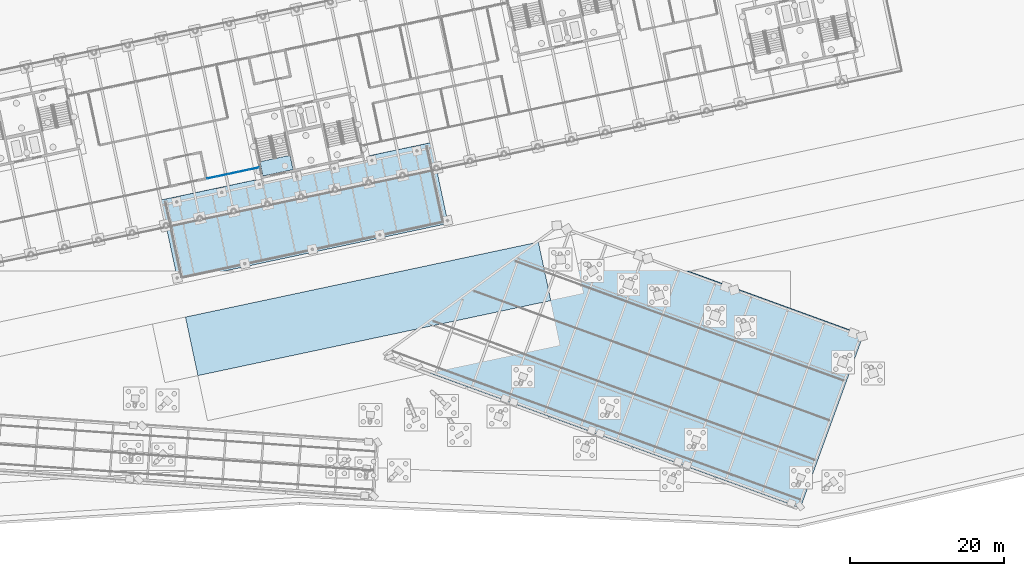
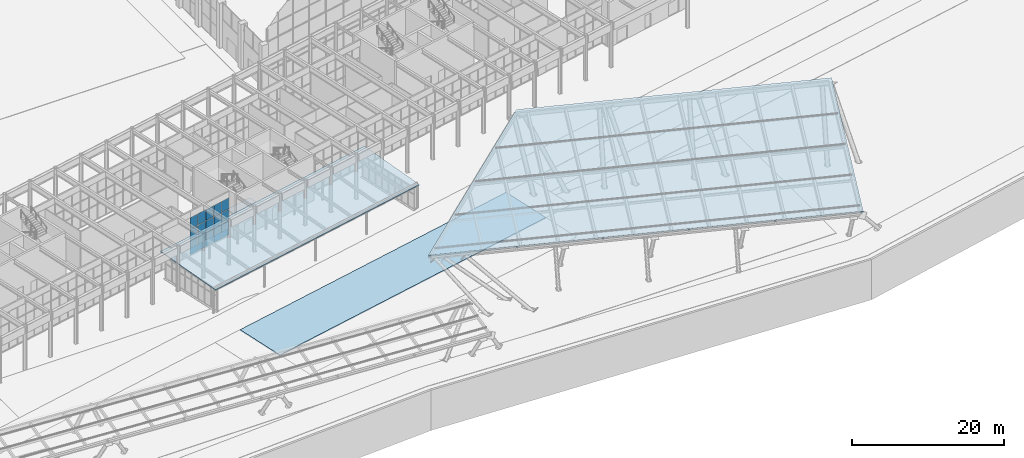
# One storey, part 145 of 239: 15 plates, 4 slabs, 2 elements without a shape of their own.
"""IFC4 building model written with IfcOpenShell, lengths in metres."""

from ifc_helpers import new_model, si_unit, direction, frame, origin, origin_2d, place, context, subcontext, project, spatial, polyline, rectangle, outline, extrude, material, layer, layer_set, type_object, element, aggregate, save


model = new_model("IFC4")

# Units and contexts
model_context = context("Model", 3, precision=1e-05, world=origin(), true_north=direction((0.0, 1.0)))
body_context = subcontext(model_context, "Body", "Model", "MODEL_VIEW")
ifc_project = project(units=[si_unit("LENGTHUNIT", "METRE"), si_unit("AREAUNIT", "SQUARE_METRE"), si_unit("VOLUMEUNIT", "CUBIC_METRE"), si_unit("PLANEANGLEUNIT", "RADIAN"), si_unit("MASSUNIT", "GRAM", prefix="KILO")], contexts=[model_context])

# Site, building, storey
site_placement = place(None, origin())
site = spatial("IfcSite", under=ifc_project, at=site_placement, CompositionType="ELEMENT")
building_placement = place(site_placement, origin())
building = spatial("IfcBuilding", under=site, at=building_placement, Name="Okhra Congress Centre", CompositionType="ELEMENT")
storey_placement = place(building_placement, origin())
storey = spatial("IfcBuildingStorey", under=building, at=storey_placement, Name="L00", CompositionType="ELEMENT", Elevation=0.0)

# Curtain wall, plates
ifc_material_1 = material(Name="Aluminium curtain wall, triple glazing", Category="aluminium")
curtain_wall_type = type_object("IfcCurtainWallType", Name="Curtain wall 1500 module", PredefinedType="NOTDEFINED", material=ifc_material_1)
curtain_wall_placement = place(storey_placement, origin())
curtain_wall = element("IfcCurtainWall", 1, at=curtain_wall_placement, inside=storey, type_object=curtain_wall_type, Name="Ground curtain wall S3", PredefinedType="NOTDEFINED")
ifc_material_2 = material(Name="Triple glazing unit, low-e coating, argon fill", Category="glass")
ifc_layer_1 = layer(ifc_material_2, 0.028076171875)
ifc_layer_set_1 = layer_set([ifc_layer_1], Name="Curtain wall glazing unit 28")
plate_type = type_object("IfcPlateType", Name="Curtain wall glazing unit 28", PredefinedType="CURTAIN_PANEL", material=ifc_layer_set_1)
plate_1_placement = place(storey_placement, frame((128.67822265625, 46.15576171875, 0.06005859375), z_axis=(0.0, 0.0, 1.0), x_axis=(0.978147600734, 0.207911690818, 0.0)))
plate_1 = element("IfcPlate", 2, at=plate_1_placement, type_object=plate_type, Name="CW7 panel 1.1", PredefinedType="CURTAIN_PANEL", context=body_context, shape_type="SweptSolid", body=[
    extrude(rectangle(XDim=1.302001953125, YDim=0.028076171875, at=origin_2d()), origin(), (0.0, 0.0, 1.0), 2.31005859375),
])
plate_2_placement = place(storey_placement, frame((128.67822265625, 46.15576171875, 2.43017578125), z_axis=(0.0, 0.0, 1.0), x_axis=(0.978147600734, 0.207911690818, 0.0)))
plate_2 = element("IfcPlate", 3, at=plate_2_placement, type_object=plate_type, Name="CW7 panel 1.2", PredefinedType="CURTAIN_PANEL", context=body_context, shape_type="SweptSolid", body=[
    extrude(rectangle(XDim=1.302001953125, YDim=0.028076171875, at=origin_2d()), origin(), (0.0, 0.0, 1.0), 1.739990234375),
])
plate_3_placement = place(storey_placement, frame((128.67822265625, 46.15576171875, 4.22998046875), z_axis=(0.0, 0.0, 1.0), x_axis=(0.978147600734, 0.207911690818, 0.0)))
plate_3 = element("IfcPlate", 4, at=plate_3_placement, type_object=plate_type, Name="CW7 panel 1.3", PredefinedType="CURTAIN_PANEL", context=body_context, shape_type="SweptSolid", body=[
    extrude(rectangle(XDim=1.302001953125, YDim=0.028076171875, at=origin_2d()), origin(), (0.0, 0.0, 1.0), 1.760009765625),
])
plate_4_placement = place(storey_placement, frame((130.025146484375, 46.442138671875, 0.06005859375), z_axis=(0.0, 0.0, 1.0), x_axis=(0.978147600734, 0.207911690818, 0.0)))
plate_4 = element("IfcPlate", 5, at=plate_4_placement, type_object=plate_type, Name="CW7 panel 2.1", PredefinedType="CURTAIN_PANEL", context=body_context, shape_type="SweptSolid", body=[
    extrude(rectangle(XDim=1.33203125, YDim=0.028076171875, at=origin_2d()), origin(), (0.0, 0.0, 1.0), 2.31005859375),
])
plate_5_placement = place(storey_placement, frame((130.025146484375, 46.442138671875, 2.43017578125), z_axis=(0.0, 0.0, 1.0), x_axis=(0.978147600734, 0.207911690818, 0.0)))
plate_5 = element("IfcPlate", 6, at=plate_5_placement, type_object=plate_type, Name="CW7 panel 2.2", PredefinedType="CURTAIN_PANEL", context=body_context, shape_type="SweptSolid", body=[
    extrude(rectangle(XDim=1.33203125, YDim=0.028076171875, at=origin_2d()), origin(), (0.0, 0.0, 1.0), 1.739990234375),
])
plate_6_placement = place(storey_placement, frame((130.025146484375, 46.442138671875, 4.22998046875), z_axis=(0.0, 0.0, 1.0), x_axis=(0.978147600734, 0.207911690818, 0.0)))
plate_6 = element("IfcPlate", 7, at=plate_6_placement, type_object=plate_type, Name="CW7 panel 2.3", PredefinedType="CURTAIN_PANEL", context=body_context, shape_type="SweptSolid", body=[
    extrude(rectangle(XDim=1.33203125, YDim=0.028076171875, at=origin_2d()), origin(), (0.0, 0.0, 1.0), 1.760009765625),
])
plate_7_placement = place(storey_placement, frame((131.38671875, 46.7314453125, 0.06005859375), z_axis=(0.0, 0.0, 1.0), x_axis=(0.978147600734, 0.207911690818, 0.0)))
plate_7 = element("IfcPlate", 8, at=plate_7_placement, type_object=plate_type, Name="CW7 panel 3.1", PredefinedType="CURTAIN_PANEL", context=body_context, shape_type="SweptSolid", body=[
    extrude(rectangle(XDim=1.33203125, YDim=0.028076171875, at=origin_2d()), origin(), (0.0, 0.0, 1.0), 2.31005859375),
])
plate_8_placement = place(storey_placement, frame((131.38671875, 46.7314453125, 2.43017578125), z_axis=(0.0, 0.0, 1.0), x_axis=(0.978147600734, 0.207911690818, 0.0)))
plate_8 = element("IfcPlate", 9, at=plate_8_placement, type_object=plate_type, Name="CW7 panel 3.2", PredefinedType="CURTAIN_PANEL", context=body_context, shape_type="SweptSolid", body=[
    extrude(rectangle(XDim=1.33203125, YDim=0.028076171875, at=origin_2d()), origin(), (0.0, 0.0, 1.0), 1.739990234375),
])
plate_9_placement = place(storey_placement, frame((131.38671875, 46.7314453125, 4.22998046875), z_axis=(0.0, 0.0, 1.0), x_axis=(0.978147600734, 0.207911690818, 0.0)))
plate_9 = element("IfcPlate", 10, at=plate_9_placement, type_object=plate_type, Name="CW7 panel 3.3", PredefinedType="CURTAIN_PANEL", context=body_context, shape_type="SweptSolid", body=[
    extrude(rectangle(XDim=1.33203125, YDim=0.028076171875, at=origin_2d()), origin(), (0.0, 0.0, 1.0), 1.760009765625),
])
plate_10_placement = place(storey_placement, frame((132.748291015625, 47.02099609375, 0.06005859375), z_axis=(0.0, 0.0, 1.0), x_axis=(0.978147600734, 0.207911690818, 0.0)))
plate_10 = element("IfcPlate", 11, at=plate_10_placement, type_object=plate_type, Name="CW7 panel 4.1", PredefinedType="CURTAIN_PANEL", context=body_context, shape_type="SweptSolid", body=[
    extrude(rectangle(XDim=1.33203125, YDim=0.028076171875, at=origin_2d()), origin(), (0.0, 0.0, 1.0), 2.31005859375),
])
plate_11_placement = place(storey_placement, frame((132.748291015625, 47.02099609375, 2.43017578125), z_axis=(0.0, 0.0, 1.0), x_axis=(0.978147600734, 0.207911690818, 0.0)))
plate_11 = element("IfcPlate", 12, at=plate_11_placement, type_object=plate_type, Name="CW7 panel 4.2", PredefinedType="CURTAIN_PANEL", context=body_context, shape_type="SweptSolid", body=[
    extrude(rectangle(XDim=1.33203125, YDim=0.028076171875, at=origin_2d()), origin(), (0.0, 0.0, 1.0), 1.739990234375),
])
plate_12_placement = place(storey_placement, frame((132.748291015625, 47.02099609375, 4.22998046875), z_axis=(0.0, 0.0, 1.0), x_axis=(0.978147600734, 0.207911690818, 0.0)))
plate_12 = element("IfcPlate", 13, at=plate_12_placement, type_object=plate_type, Name="CW7 panel 4.3", PredefinedType="CURTAIN_PANEL", context=body_context, shape_type="SweptSolid", body=[
    extrude(rectangle(XDim=1.33203125, YDim=0.028076171875, at=origin_2d()), origin(), (0.0, 0.0, 1.0), 1.760009765625),
])
plate_13_placement = place(storey_placement, frame((134.09521484375, 47.30712890625, 0.06005859375), z_axis=(0.0, 0.0, 1.0), x_axis=(0.978147600734, 0.207911690818, 0.0)))
plate_13 = element("IfcPlate", 14, at=plate_13_placement, type_object=plate_type, Name="CW7 panel 5.1", PredefinedType="CURTAIN_PANEL", context=body_context, shape_type="SweptSolid", body=[
    extrude(rectangle(XDim=1.302001953125, YDim=0.028076171875, at=origin_2d()), origin(), (0.0, 0.0, 1.0), 2.31005859375),
])
plate_14_placement = place(storey_placement, frame((134.09521484375, 47.30712890625, 2.43017578125), z_axis=(0.0, 0.0, 1.0), x_axis=(0.978147600734, 0.207911690818, 0.0)))
plate_14 = element("IfcPlate", 15, at=plate_14_placement, type_object=plate_type, Name="CW7 panel 5.2", PredefinedType="CURTAIN_PANEL", context=body_context, shape_type="SweptSolid", body=[
    extrude(rectangle(XDim=1.302001953125, YDim=0.028076171875, at=origin_2d()), origin(), (0.0, 0.0, 1.0), 1.739990234375),
])
plate_15_placement = place(storey_placement, frame((134.09521484375, 47.30712890625, 4.22998046875), z_axis=(0.0, 0.0, 1.0), x_axis=(0.978147600734, 0.207911690818, 0.0)))
plate_15 = element("IfcPlate", 16, at=plate_15_placement, type_object=plate_type, Name="CW7 panel 5.3", PredefinedType="CURTAIN_PANEL", context=body_context, shape_type="SweptSolid", body=[
    extrude(rectangle(XDim=1.302001953125, YDim=0.028076171875, at=origin_2d()), origin(), (0.0, 0.0, 1.0), 1.760009765625),
])
aggregate(curtain_wall, [plate_1, plate_2, plate_3, plate_4, plate_5, plate_6, plate_7, plate_8, plate_9, plate_10, plate_11, plate_12, plate_13, plate_14, plate_15])

# Slabs
ifc_material_3 = material(Name="Insulated metal sandwich roof panel (mineral wool core)")
ifc_layer_2 = layer(ifc_material_3, 0.199951171875)
ifc_layer_set_2 = layer_set([ifc_layer_2], Name="Insulated canopy roof panel 200")
slab_type_1 = type_object("IfcSlabType", Name="Insulated canopy roof panel 200", PredefinedType="ROOF", material=ifc_layer_set_2)
slab_1_placement = place(storey_placement, frame((150.75634765625, 22.919677734375, 6.0), z_axis=(-0.068186902284, -0.187342529609, 0.979925161916), x_axis=(0.939692736451, -0.342019825538, -1.25004e-07)))
element("IfcSlab", 17, at=slab_1_placement, inside=storey, type_object=slab_type_1, Name="Entrance canopy roof panel", PredefinedType="ROOF", context=body_context, shape_type="SweptSolid", body=[
    extrude(outline(polyline([(0.0, 0.0), (58.00002027893487, -3.552713678800501e-15), (58.000001548696574, 24.491776044627027), (16.000081824214412, 24.491713343563067), (0.0, 0.0)])), origin(), (0.0, 0.0, -1.0), 0.199951171875),
])
ifc_material_4 = material(Name="Insulated metal roof panel (mineral wool core), standing seam")
ifc_layer_3 = layer(ifc_material_4, 0.14990234375)
ifc_layer_set_3 = layer_set([ifc_layer_3], Name="Insulated roof panel 150")
slab_type_2 = type_object("IfcSlabType", Name="Insulated roof panel 150", PredefinedType="ROOF", material=ifc_layer_set_3)
slab_2_placement = place(storey_placement, frame((124.1728515625, 32.66943359375, 3.89990234375), z_axis=(0.010881355746, -0.051192558703, 0.998629519907), x_axis=(0.97814743953, 0.207912449222, 0.0)))
element("IfcSlab", 18, at=slab_2_placement, inside=storey, type_object=slab_type_2, Name="Entrance porch roof", PredefinedType="ROOF", context=body_context, shape_type="SweptSolid", body=[
    extrude(outline(polyline([(0.0, 0.0), (36.000072671234115, 0.0), (36.00009697001192, 10.789794424672467), (2.429877780274481e-05, 10.789794424672467), (0.0, 0.0)])), origin(), (0.0, 0.0, -1.0), 0.14990234375),
])
ifc_material_5 = material(Name="Concrete C30/37", Category="concrete")
ifc_layer_4 = layer(ifc_material_5, 0.14990234375)
ifc_layer_set_4 = layer_set([ifc_layer_4], Name="Paving slab 150 C30/37")
slab_type_3 = type_object("IfcSlabType", Name="Paving slab 150 C30/37", PredefinedType="BASESLAB", material=ifc_layer_set_4)
slab_3_placement = place(storey_placement, frame((0.0, 0.0, -0.14990234375)))
element("IfcSlab", 19, at=slab_3_placement, inside=storey, type_object=slab_type_3, Name="Porch Parking Aisle and Drop-off Lay-by paving", PredefinedType="BASESLAB", context=body_context, shape_type="SweptSolid", body=[
    extrude(outline(polyline([(172.765380859375, 30.11669921875), (171.143798828125, 37.74609375), (125.1708984375, 27.974365234375), (126.79248046875, 20.3447265625), (172.765380859375, 30.11669921875)])), origin(), (0.0, 0.0, 1.0), 0.14990234375),
])

# Stair, slab
stair_type = type_object("IfcStairType", Name="Escape stair 1900 wide, 44 risers of 163.6", PredefinedType="HALF_TURN_STAIR", material=ifc_material_5)
stair_placement = place(storey_placement, origin())
stair = element("IfcStair", 20, at=stair_placement, inside=storey, type_object=stair_type, Name="L00 Escape stair 3A", PredefinedType="HALF_TURN_STAIR")
ifc_layer_5 = layer(ifc_material_5, 0.199951171875)
ifc_layer_set_5 = layer_set([ifc_layer_5], Name="RC stair landing 200 C30/37")
slab_type_4 = type_object("IfcSlabType", Name="RC stair landing 200 C30/37", PredefinedType="LANDING", material=ifc_layer_set_5)
slab_4_placement = place(storey_placement, frame((0.0, 0.0, 3.39990234375)))
slab_4 = element("IfcSlab", 21, at=slab_4_placement, type_object=slab_type_4, Name="BS3A landing 2", PredefinedType="LANDING", context=body_context, shape_type="SweptSolid", body=[
    extrude(outline(polyline([(139.189453125, 47.178466796875), (135.26708984375, 46.3447265625), (134.869873046875, 48.213134765625), (138.792236328125, 49.046875), (139.189453125, 47.178466796875)])), origin(), (0.0, 0.0, 1.0), 0.2001953125),
])
aggregate(stair, [slab_4])

save(model, "model.ifc")
